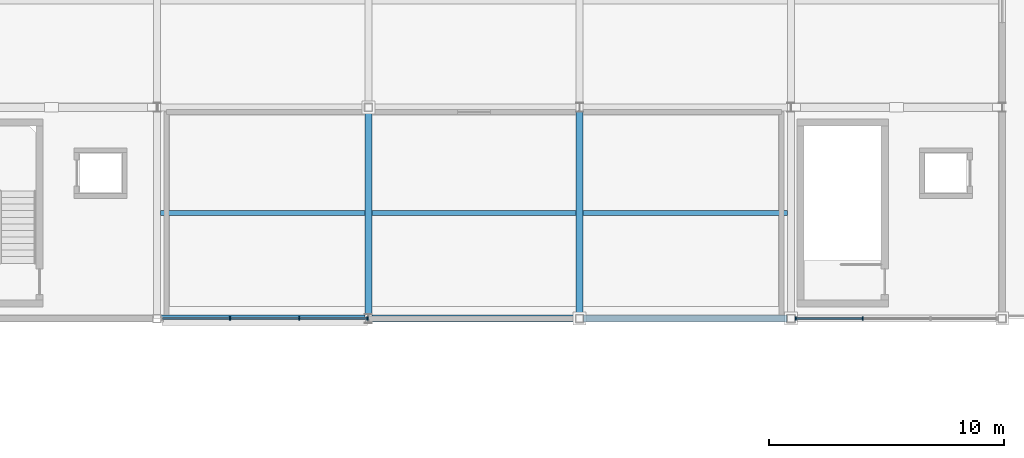
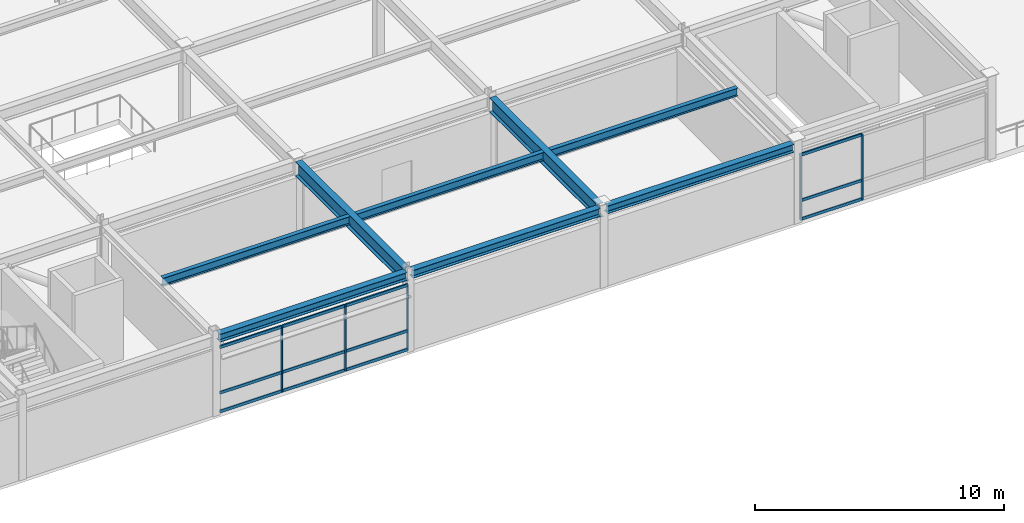
# One storey, part 10 of 40: 17 members, 8 beams, 2 elements without a shape of their own.
"""IFC4 building model written with IfcOpenShell, lengths in metres."""

from ifc_helpers import new_model, si_unit, direction, frame, origin, origin_2d, place, context, subcontext, project, spatial, rectangle, i_section, extrude, material, material_profile, profile_set, type_object, element, aggregate, save


model = new_model("IFC4")

# Units and contexts
model_context = context("Model", 3, precision=1e-05, world=origin(), true_north=direction((0.0, 1.0)))
body_context = subcontext(model_context, "Body", "Model", "MODEL_VIEW")
ifc_project = project(units=[si_unit("LENGTHUNIT", "METRE"), si_unit("AREAUNIT", "SQUARE_METRE"), si_unit("VOLUMEUNIT", "CUBIC_METRE"), si_unit("PLANEANGLEUNIT", "RADIAN"), si_unit("MASSUNIT", "GRAM", prefix="KILO")], contexts=[model_context])

# Site, building, storey
site_placement = place(None, origin())
site = spatial("IfcSite", under=ifc_project, at=site_placement, CompositionType="ELEMENT")
building_placement = place(site_placement, origin())
building = spatial("IfcBuilding", under=site, at=building_placement, Name="Suzunagisa Mobility Hub", CompositionType="ELEMENT")
storey_placement = place(building_placement, frame((0.0, 0.0, 21.89990234375)))
storey = spatial("IfcBuildingStorey", under=building, at=storey_placement, Name="L05", CompositionType="ELEMENT", Elevation=21.89990234375)

# Curtain wall, members
ifc_material_1 = material(Name="Thermally Broken Anodized Aluminum and Low-E Glazing", Category="aluminium")
curtain_wall_type = type_object("IfcCurtainWallType", Name="Unitised Curtain Wall CW-13 8750x3200", PredefinedType="USERDEFINED", material=ifc_material_1)
curtain_wall_1_placement = place(storey_placement, origin())
curtain_wall_1 = element("IfcCurtainWall", 1, at=curtain_wall_1_placement, inside=storey, type_object=curtain_wall_type, Name="L05 Unitised Curtain Wall CW-135", ObjectType="UNITISED CURTAIN WALL", PredefinedType="USERDEFINED")
ifc_material_2 = material(Name="Anodized Aluminum 6063-T6", Category="aluminium")
ifc_material_profile_1 = material_profile(ifc_material_2, rectangle(XDim=0.06494140625, YDim=0.139892578125, at=origin_2d()), Name="TRAN-65x140")
ifc_profile_set_1 = profile_set([ifc_material_profile_1], Name="Anodized Aluminum 6063-T6")
member_type_1 = type_object("IfcMemberType", Name="Curtain Wall Framing CM-01 TRAN-65x140", PredefinedType="USERDEFINED", material=ifc_profile_set_1)
member_1_placement = place(storey_placement, frame((63.23291015625, 80.0, 0.03271484375), z_axis=(1.0, 0.0, 0.0), x_axis=(0.0, 1.0, 0.0)))
member_1 = element("IfcMember", 2, at=member_1_placement, type_object=member_type_1, Name="Curtain Wall Transom 135-T1.1", ObjectType="TRANSOM", PredefinedType="USERDEFINED", context=body_context, shape_type="SweptSolid", body=[
    extrude(rectangle(XDim=0.06494140625, YDim=0.139892578125, at=origin_2d()), origin(), (0.0, 0.0, 1.0), 2.854248046875),
])
member_2_placement = place(storey_placement, frame((63.23291015625, 80.0, 0.9501953125), z_axis=(1.0, 0.0, 0.0), x_axis=(0.0, 1.0, 0.0)))
member_2 = element("IfcMember", 3, at=member_2_placement, type_object=member_type_1, Name="Curtain Wall Transom 135-T1.2", ObjectType="TRANSOM", PredefinedType="USERDEFINED", context=body_context, shape_type="SweptSolid", body=[
    extrude(rectangle(XDim=0.06494140625, YDim=0.139892578125, at=origin_2d()), origin(), (0.0, 0.0, 1.0), 2.854248046875),
])
member_3_placement = place(storey_placement, frame((63.23291015625, 80.0, 3.1875), z_axis=(1.0, 0.0, 0.0), x_axis=(0.0, 1.0, 0.0)))
member_3 = element("IfcMember", 4, at=member_3_placement, type_object=member_type_1, Name="Curtain Wall Transom 135-T1.3", ObjectType="TRANSOM", PredefinedType="USERDEFINED", context=body_context, shape_type="SweptSolid", body=[
    extrude(rectangle(XDim=0.06494140625, YDim=0.139892578125, at=origin_2d()), origin(), (0.0, 0.0, 1.0), 2.854248046875),
])
member_4_placement = place(storey_placement, frame((66.143310546875, 80.0, 0.03271484375), z_axis=(1.0, 0.0, 0.0), x_axis=(0.0, 1.0, 0.0)))
member_4 = element("IfcMember", 5, at=member_4_placement, type_object=member_type_1, Name="Curtain Wall Transom 135-T2.1", ObjectType="TRANSOM", PredefinedType="USERDEFINED", context=body_context, shape_type="SweptSolid", body=[
    extrude(rectangle(XDim=0.06494140625, YDim=0.139892578125, at=origin_2d()), origin(), (0.0, 0.0, 1.0), 2.884033203125),
])
member_5_placement = place(storey_placement, frame((66.143310546875, 80.0, 0.9501953125), z_axis=(1.0, 0.0, 0.0), x_axis=(0.0, 1.0, 0.0)))
member_5 = element("IfcMember", 6, at=member_5_placement, type_object=member_type_1, Name="Curtain Wall Transom 135-T2.2", ObjectType="TRANSOM", PredefinedType="USERDEFINED", context=body_context, shape_type="SweptSolid", body=[
    extrude(rectangle(XDim=0.06494140625, YDim=0.139892578125, at=origin_2d()), origin(), (0.0, 0.0, 1.0), 2.884033203125),
])
member_6_placement = place(storey_placement, frame((66.143310546875, 80.0, 3.1875), z_axis=(1.0, 0.0, 0.0), x_axis=(0.0, 1.0, 0.0)))
member_6 = element("IfcMember", 7, at=member_6_placement, type_object=member_type_1, Name="Curtain Wall Transom 135-T2.3", ObjectType="TRANSOM", PredefinedType="USERDEFINED", context=body_context, shape_type="SweptSolid", body=[
    extrude(rectangle(XDim=0.06494140625, YDim=0.139892578125, at=origin_2d()), origin(), (0.0, 0.0, 1.0), 2.884033203125),
])
member_7_placement = place(storey_placement, frame((69.083251953125, 80.0, 0.03271484375), z_axis=(1.0, 0.0, 0.0), x_axis=(0.0, 1.0, 0.0)))
member_7 = element("IfcMember", 8, at=member_7_placement, type_object=member_type_1, Name="Curtain Wall Transom 135-T3.1", ObjectType="TRANSOM", PredefinedType="USERDEFINED", context=body_context, shape_type="SweptSolid", body=[
    extrude(rectangle(XDim=0.06494140625, YDim=0.139892578125, at=origin_2d()), origin(), (0.0, 0.0, 1.0), 2.854248046875),
])
member_8_placement = place(storey_placement, frame((69.083251953125, 80.0, 0.9501953125), z_axis=(1.0, 0.0, 0.0), x_axis=(0.0, 1.0, 0.0)))
member_8 = element("IfcMember", 9, at=member_8_placement, type_object=member_type_1, Name="Curtain Wall Transom 135-T3.2", ObjectType="TRANSOM", PredefinedType="USERDEFINED", context=body_context, shape_type="SweptSolid", body=[
    extrude(rectangle(XDim=0.06494140625, YDim=0.139892578125, at=origin_2d()), origin(), (0.0, 0.0, 1.0), 2.854248046875),
])
member_9_placement = place(storey_placement, frame((69.083251953125, 80.0, 3.1875), z_axis=(1.0, 0.0, 0.0), x_axis=(0.0, 1.0, 0.0)))
member_9 = element("IfcMember", 10, at=member_9_placement, type_object=member_type_1, Name="Curtain Wall Transom 135-T3.3", ObjectType="TRANSOM", PredefinedType="USERDEFINED", context=body_context, shape_type="SweptSolid", body=[
    extrude(rectangle(XDim=0.06494140625, YDim=0.139892578125, at=origin_2d()), origin(), (0.0, 0.0, 1.0), 2.854248046875),
])

curtain_wall_2_placement = place(storey_placement, origin())
curtain_wall_2 = element("IfcCurtainWall", 11, at=curtain_wall_2_placement, inside=storey, type_object=curtain_wall_type, Name="L05 Unitised Curtain Wall CW-136", ObjectType="UNITISED CURTAIN WALL", PredefinedType="USERDEFINED")
member_10_placement = place(storey_placement, frame((90.23291015625, 80.0, 0.03271484375), z_axis=(1.0, 0.0, 0.0), x_axis=(0.0, 1.0, 0.0)))
member_10 = element("IfcMember", 12, at=member_10_placement, type_object=member_type_1, Name="Curtain Wall Transom 136-T1.1", ObjectType="TRANSOM", PredefinedType="USERDEFINED", context=body_context, shape_type="SweptSolid", body=[
    extrude(rectangle(XDim=0.06494140625, YDim=0.139892578125, at=origin_2d()), origin(), (0.0, 0.0, 1.0), 2.79736328125),
])
member_11_placement = place(storey_placement, frame((90.23291015625, 80.0, 0.9501953125), z_axis=(1.0, 0.0, 0.0), x_axis=(0.0, 1.0, 0.0)))
member_11 = element("IfcMember", 13, at=member_11_placement, type_object=member_type_1, Name="Curtain Wall Transom 136-T1.2", ObjectType="TRANSOM", PredefinedType="USERDEFINED", context=body_context, shape_type="SweptSolid", body=[
    extrude(rectangle(XDim=0.06494140625, YDim=0.139892578125, at=origin_2d()), origin(), (0.0, 0.0, 1.0), 2.79736328125),
])
member_12_placement = place(storey_placement, frame((90.23291015625, 80.0, 3.1875), z_axis=(1.0, 0.0, 0.0), x_axis=(0.0, 1.0, 0.0)))
member_12 = element("IfcMember", 14, at=member_12_placement, type_object=member_type_1, Name="Curtain Wall Transom 136-T1.3", ObjectType="TRANSOM", PredefinedType="USERDEFINED", context=body_context, shape_type="SweptSolid", body=[
    extrude(rectangle(XDim=0.06494140625, YDim=0.139892578125, at=origin_2d()), origin(), (0.0, 0.0, 1.0), 2.79736328125),
])

# Member
ifc_material_profile_2 = material_profile(ifc_material_2, rectangle(XDim=0.06005859375, YDim=0.14990234375, at=origin_2d()), Name="MULL-60x150")
ifc_profile_set_2 = profile_set([ifc_material_profile_2], Name="Anodized Aluminum 6063-T6")
member_type_2 = type_object("IfcMemberType", Name="Curtain Wall Framing CM-03 MULL-60x150", PredefinedType="MULLION", material=ifc_profile_set_2)
member_13_placement = place(storey_placement, frame((66.115234375, 80.0, 0.0), z_axis=(0.0, 0.0, 1.0), x_axis=(1.0, 0.0, 0.0)))
member_13 = element("IfcMember", 15, at=member_13_placement, type_object=member_type_2, Name="Curtain Wall Mullion 135-M2", PredefinedType="MULLION", context=body_context, shape_type="SweptSolid", body=[
    extrude(rectangle(XDim=0.06005859375, YDim=0.14990234375, at=origin_2d()), origin(), (0.0, 0.0, 1.0), 3.22021484375),
])

member_14_placement = place(storey_placement, frame((69.055419921875, 80.0, 0.0), z_axis=(0.0, 0.0, 1.0), x_axis=(1.0, 0.0, 0.0)))
member_14 = element("IfcMember", 16, at=member_14_placement, type_object=member_type_2, Name="Curtain Wall Mullion 135-M3", PredefinedType="MULLION", context=body_context, shape_type="SweptSolid", body=[
    extrude(rectangle(XDim=0.06005859375, YDim=0.14990234375, at=origin_2d()), origin(), (0.0, 0.0, 1.0), 3.22021484375),
])

member_15_placement = place(storey_placement, frame((71.965576171875, 80.0, 0.0), z_axis=(0.0, 0.0, 1.0), x_axis=(1.0, 0.0, 0.0)))
member_15 = element("IfcMember", 17, at=member_15_placement, type_object=member_type_2, Name="Curtain Wall Mullion 135-M4", PredefinedType="MULLION", context=body_context, shape_type="SweptSolid", body=[
    extrude(rectangle(XDim=0.06005859375, YDim=0.14990234375, at=origin_2d()), origin(), (0.0, 0.0, 1.0), 3.22021484375),
])

aggregate(curtain_wall_1, [member_13, member_14, member_15, member_1, member_2, member_3, member_4, member_5, member_6, member_7, member_8, member_9])

member_16_placement = place(storey_placement, frame((90.205078125, 80.0, 0.0), z_axis=(0.0, 0.0, 1.0), x_axis=(1.0, 0.0, 0.0)))
member_16 = element("IfcMember", 18, at=member_16_placement, type_object=member_type_2, Name="Curtain Wall Mullion 136-M1", PredefinedType="MULLION", context=body_context, shape_type="SweptSolid", body=[
    extrude(rectangle(XDim=0.06005859375, YDim=0.14990234375, at=origin_2d()), origin(), (0.0, 0.0, 1.0), 3.22021484375),
])

member_17_placement = place(storey_placement, frame((93.058349609375, 80.0, 0.0), z_axis=(0.0, 0.0, 1.0), x_axis=(1.0, 0.0, 0.0)))
member_17 = element("IfcMember", 19, at=member_17_placement, type_object=member_type_2, Name="Curtain Wall Mullion 136-M2", PredefinedType="MULLION", context=body_context, shape_type="SweptSolid", body=[
    extrude(rectangle(XDim=0.06005859375, YDim=0.14990234375, at=origin_2d()), origin(), (0.0, 0.0, 1.0), 3.22021484375),
])

aggregate(curtain_wall_2, [member_16, member_17, member_10, member_11, member_12])

# Beams
ifc_material_3 = material(Name="Steel SN490B", Category="steel")
ifc_material_profile_3 = material_profile(ifc_material_3, i_section(OverallWidth=0.300048828125, OverallDepth=0.699951171875, WebThickness=0.012939453125, FlangeThickness=0.02392578125, FilletRadius=0.01806640625, at=origin_2d()), Name="H-700x300x13x24")
ifc_profile_set_3 = profile_set([ifc_material_profile_3], Name="Steel SN490B")
beam_type_1 = type_object("IfcBeamType", Name="Steel Beam BM-11 H-700x300x13x24", PredefinedType="BEAM", material=ifc_profile_set_3)
for number, where, z_axis, x_axis, name in (
    (20, (72.0, 80.19091796875, 3.570068359375), (0.0, 1.0, 0.0), (-1.0, 0.0, 0.0), "L05 Primary Girder GY-1271"),
    (21, (81.0, 80.1708984375, 3.570068359375), (0.0, 1.0, 0.0), (-1.0, 0.0, 0.0), "L05 Primary Girder GY-1275"),
):
    element("IfcBeam", number, at=place(storey_placement, frame(where, z_axis=z_axis, x_axis=x_axis)), inside=storey, type_object=beam_type_1, Name=name, PredefinedType="BEAM", context=body_context, shape_type="SweptSolid", body=[
        extrude(i_section(OverallWidth=0.300048828125, OverallDepth=0.699951171875, WebThickness=0.012939453125, FlangeThickness=0.02392578125, FilletRadius=0.01806640625, at=origin_2d()), origin(), (0.0, 0.0, 1.0), 8.63818359375),
    ])
ifc_material_profile_4 = material_profile(ifc_material_3, i_section(OverallWidth=0.300048828125, OverallDepth=0.389892578125, WebThickness=0.010009765625, FlangeThickness=0.01611328125, FilletRadius=0.012939453125, at=origin_2d()), Name="H-390x300x10x16")
ifc_profile_set_4 = profile_set([ifc_material_profile_4], Name="Steel SN490B")
beam_type_2 = type_object("IfcBeamType", Name="Steel Beam BM-13 H-390x300x10x16", PredefinedType="SPANDREL", material=ifc_profile_set_4)
for number, where, z_axis, x_axis, name in (
    (22, (63.1708984375, 80.0, 3.72509765625), (1.0, 0.0, 0.0), (0.0, 1.0, 0.0), "L05 Primary Girder GX-1249"),
    (23, (72.14599609375, 80.0, 3.72509765625), (1.0, 0.0, 0.0), (0.0, 1.0, 0.0), "L05 Primary Girder GX-1250"),
):
    element("IfcBeam", number, at=place(storey_placement, frame(where, z_axis=z_axis, x_axis=x_axis)), inside=storey, type_object=beam_type_2, Name=name, PredefinedType="SPANDREL", context=body_context, shape_type="SweptSolid", body=[
        extrude(i_section(OverallWidth=0.300048828125, OverallDepth=0.389892578125, WebThickness=0.010009765625, FlangeThickness=0.01611328125, FilletRadius=0.012939453125, at=origin_2d()), origin(), (0.0, 0.0, 1.0), 8.68310546875),
    ])
beam_placement = place(storey_placement, frame((81.1708984375, 80.0, 3.72509765625), z_axis=(1.0, 0.0, 0.0), x_axis=(0.0, 1.0, 0.0)))
element("IfcBeam", 24, at=beam_placement, inside=storey, type_object=beam_type_2, Name="L05 Primary Girder GX-1251", PredefinedType="SPANDREL", context=body_context, shape_type="SweptSolid", body=[
    extrude(i_section(OverallWidth=0.300048828125, OverallDepth=0.389892578125, WebThickness=0.010009765625, FlangeThickness=0.01611328125, FilletRadius=0.012939453125, at=origin_2d()), origin(), (0.0, 0.0, 1.0), 8.658203125),
])
ifc_material_4 = material(Name="Steel SN400B", Category="steel")
ifc_material_profile_5 = material_profile(ifc_material_4, i_section(OverallWidth=0.199951171875, OverallDepth=0.39990234375, WebThickness=0.008056640625, FlangeThickness=0.012939453125, FilletRadius=0.012939453125, at=origin_2d()), Name="H-400x200x8x13")
ifc_profile_set_5 = profile_set([ifc_material_profile_5], Name="Steel SN400B")
beam_type_3 = type_object("IfcBeamType", Name="Steel Beam BM-14 H-400x200x8x13", PredefinedType="JOIST", material=ifc_profile_set_5)
for number, where, z_axis, x_axis, name in (
    (25, (63.14990234375, 84.5, 3.72021484375), (1.0, 0.0, 0.0), (0.0, 1.0, 0.0), "L05 Composite Floor Joist J-1287"),
    (26, (72.14990234375, 84.5, 3.72021484375), (1.0, 0.0, 0.0), (0.0, 1.0, 0.0), "L05 Composite Floor Joist J-1291"),
    (27, (81.14990234375, 84.5, 3.72021484375), (1.0, 0.0, 0.0), (0.0, 1.0, 0.0), "L05 Composite Floor Joist J-1295"),
):
    element("IfcBeam", number, at=place(storey_placement, frame(where, z_axis=z_axis, x_axis=x_axis)), inside=storey, type_object=beam_type_3, Name=name, PredefinedType="JOIST", context=body_context, shape_type="SweptSolid", body=[
        extrude(i_section(OverallWidth=0.199951171875, OverallDepth=0.39990234375, WebThickness=0.008056640625, FlangeThickness=0.012939453125, FilletRadius=0.012939453125, at=origin_2d()), origin(), (0.0, 0.0, 1.0), 8.7001953125),
    ])

save(model, "model.ifc")
